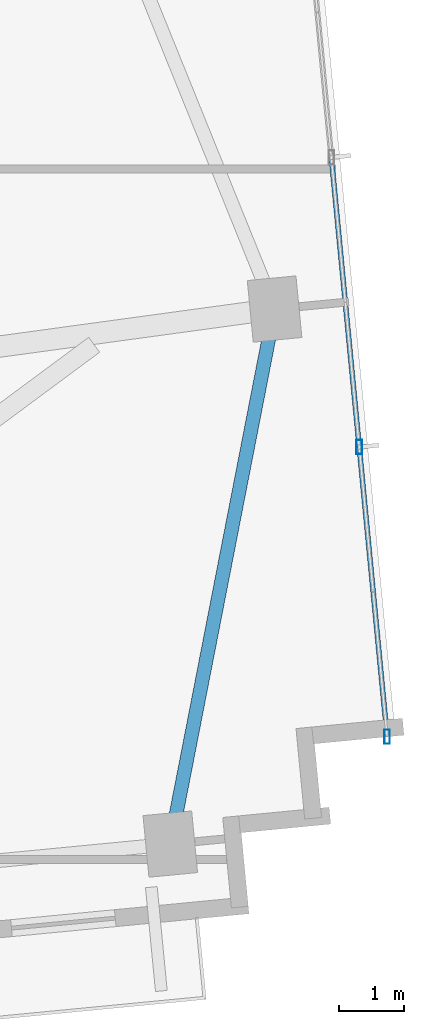
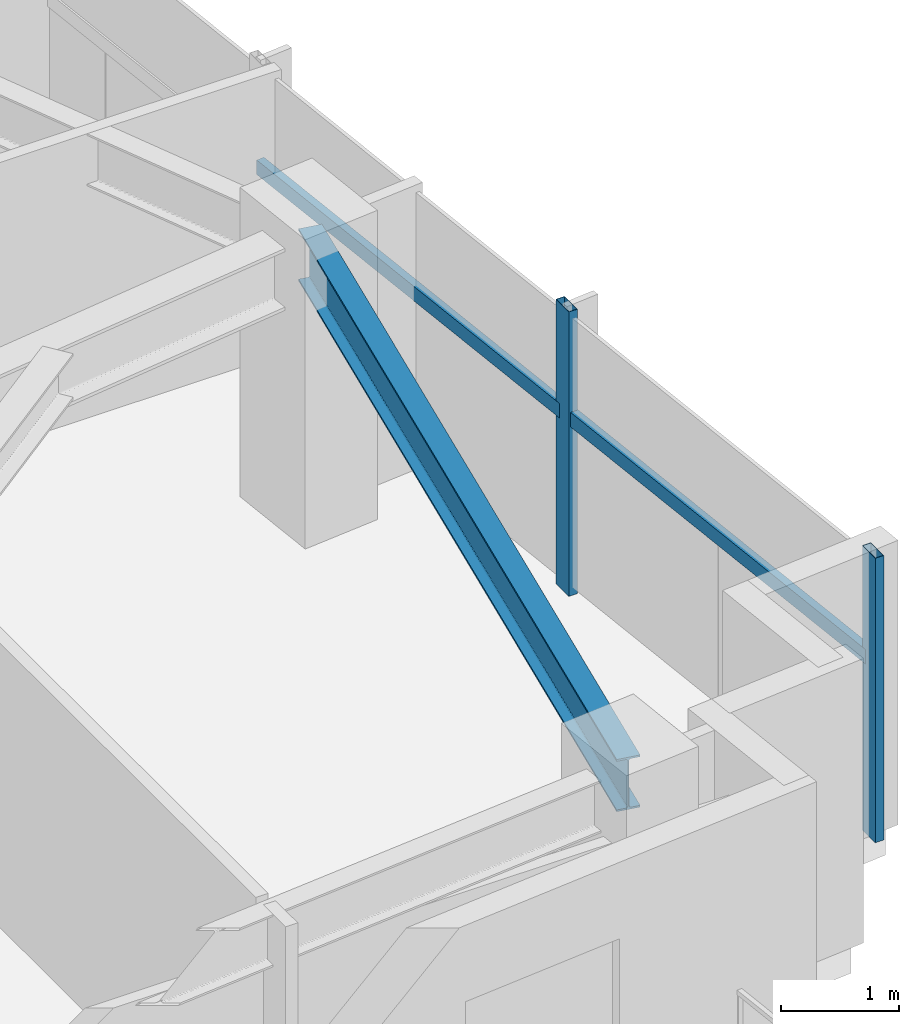
# One storey, part 10 of 18: 4 members, 1 beam, 1 element without a shape of its own.
"""IFC4 building model written with IfcOpenShell, lengths in metres."""

from ifc_helpers import new_model, si_unit, direction, frame, origin, origin_2d, place, context, subcontext, project, spatial, hollow_rectangle, i_section, extrude, source, transform, mapped, material, material_profile, profile_set, type_object, type_shapes, element, aggregate, save


model = new_model("IFC4")

# Units and contexts
model_context = context("Model", 3, precision=1e-05, world=origin(), true_north=direction((0.0, 1.0)))
body_context = subcontext(model_context, "Body", "Model", "MODEL_VIEW")
ifc_project = project(units=[si_unit("LENGTHUNIT", "METRE"), si_unit("AREAUNIT", "SQUARE_METRE"), si_unit("VOLUMEUNIT", "CUBIC_METRE"), si_unit("PLANEANGLEUNIT", "RADIAN"), si_unit("MASSUNIT", "GRAM", prefix="KILO")], contexts=[model_context])

# Site, building, storey
site_placement = place(None, origin())
site = spatial("IfcSite", under=ifc_project, at=site_placement, CompositionType="ELEMENT")
building_placement = place(site_placement, origin())
building = spatial("IfcBuilding", under=site, at=building_placement, Name="Astriad Promenade Condominiums", CompositionType="ELEMENT")
storey_placement = place(building_placement, frame((0.0, 0.0, 176.199951171875)))
storey = spatial("IfcBuildingStorey", under=building, at=storey_placement, Name="L50", CompositionType="ELEMENT", Elevation=176.199951171875)

# Beam
ifc_material_1 = material(Name="Steel ASTM A992 Grade 50", Category="steel")
ifc_material_profile_1 = material_profile(ifc_material_1, i_section(OverallWidth=0.210693359375, OverallDepth=0.53955078125, WebThickness=0.01171875, FlangeThickness=0.018798828125, FilletRadius=0.0166015625, at=origin_2d()), Name="W21X73")
ifc_profile_set_1 = profile_set([ifc_material_profile_1], Name="Steel ASTM A992 Grade 50")
beam_type = type_object("IfcBeamType", Name="STEEL SPANDREL BEAM W21X73", PredefinedType="SPANDREL", material=ifc_profile_set_1)
shared_shape_1 = source(origin(), body_context, "Body", "SweptSolid", [
    extrude(i_section(OverallWidth=0.210693359375, OverallDepth=0.53955078125, WebThickness=0.01171875, FlangeThickness=0.018798828125, FilletRadius=0.0166015625, at=origin_2d()), origin(), (0.0, 0.0, 1.0), 8.28564453125),
])
type_shapes(beam_type, [shared_shape_1])
beam_placement = place(storey_placement, frame((61.775634765625, 11.6552734375, 2.670166015625), z_axis=(0.191291582099, 0.981533254973, 0.0), x_axis=(-0.981533254973, 0.191291582099, 0.0)))
element("IfcBeam", 1, at=beam_placement, inside=storey, type_object=beam_type, Name="Perimeter Spandrel Beam SP-E1-L50", PredefinedType="SPANDREL", context=body_context, shape_type="MappedRepresentation", body=[
    mapped(shared_shape_1, transform((0.0, 0.0, 0.0), scale=1.0)),
])

# Curtain wall, members
ifc_material_2 = material(Name="Anodised aluminium Black Dark Glass Unitised", Category="aluminium")
curtain_wall_type = type_object("IfcCurtainWallType", Name="CW-B34-DARK", PredefinedType="USERDEFINED", material=ifc_material_2)
curtain_wall_placement = place(storey_placement, origin())
curtain_wall = element("IfcCurtainWall", 2, at=curtain_wall_placement, inside=storey, type_object=curtain_wall_type, Name="CW-L50-E", ObjectType="UNITISED_CURTAIN_WALL", PredefinedType="USERDEFINED")
ifc_material_3 = material(Name="Anodised aluminium 6063-T6 Black", Category="aluminium")
ifc_material_profile_2 = material_profile(ifc_material_3, hollow_rectangle(XDim=0.0849609375, YDim=0.219970703125, WallThickness=0.0048828125, at=origin_2d()), Name="ALU-MUL-85X220")
ifc_profile_set_2 = profile_set([ifc_material_profile_2], Name="Anodised aluminium 6063-T6 Black")
member_type_1 = type_object("IfcMemberType", Name="MUL-ALU-MUL-85X220", PredefinedType="MULLION", material=ifc_profile_set_2)
shared_shape_2 = source(origin(), body_context, "Body", "SweptSolid", [
    extrude(hollow_rectangle(XDim=0.0849609375, YDim=0.219970703125, WallThickness=0.0048828125, at=origin_2d()), origin(), (0.0, 0.0, 1.0), 2.93994140625),
])
type_shapes(member_type_1, [shared_shape_2])
member_1_placement = place(storey_placement, frame((64.667236328125, 17.70849609375, 0.0), z_axis=(0.0, 0.0, 1.0), x_axis=(1.0, 0.0, 0.0)))
member_1 = element("IfcMember", 3, at=member_1_placement, type_object=member_type_1, Name="CW-L50-E-MUL-02", PredefinedType="MULLION", context=body_context, shape_type="MappedRepresentation", body=[
    mapped(shared_shape_2, transform((0.0, 0.0, 0.0), scale=1.0)),
])
member_2_placement = place(storey_placement, frame((65.095458984375, 13.262451171875, 0.0), z_axis=(0.0, 0.0, 1.0), x_axis=(1.0, 0.0, 0.0)))
member_2 = element("IfcMember", 4, at=member_2_placement, type_object=member_type_1, Name="CW-L50-E-MUL-03", PredefinedType="MULLION", context=body_context, shape_type="MappedRepresentation", body=[
    mapped(shared_shape_2, transform((0.0, 0.0, 0.0), scale=1.0)),
])
ifc_material_profile_3 = material_profile(ifc_material_3, hollow_rectangle(XDim=0.074951171875, YDim=0.14990234375, WallThickness=0.004150390625, at=origin_2d()), Name="ALU-TRN-75X150")
ifc_profile_set_3 = profile_set([ifc_material_profile_3], Name="Anodised aluminium 6063-T6 Black")
member_type_2 = type_object("IfcMemberType", Name="TRN-ALU-TRN-75X150", PredefinedType="USERDEFINED", material=ifc_profile_set_3)
shared_shape_3 = source(origin(), body_context, "Body", "SweptSolid", [
    extrude(hollow_rectangle(XDim=0.074951171875, YDim=0.14990234375, WallThickness=0.004150390625, at=origin_2d()), origin(), (0.0, 0.0, 1.0), 4.466552734375),
])
type_shapes(member_type_2, [shared_shape_3])
member_3_placement = place(storey_placement, frame((64.239013671875, 22.154541015625, 1.82275390625), z_axis=(0.095871755514, -0.995393694221, 0.0), x_axis=(0.995393694221, 0.095871755514, 0.0)))
member_3 = element("IfcMember", 5, at=member_3_placement, type_object=member_type_2, Name="CW-L50-E-TRN-01-0", ObjectType="TRANSOM", PredefinedType="USERDEFINED", context=body_context, shape_type="MappedRepresentation", body=[
    mapped(shared_shape_3, transform((0.0, 0.0, 0.0), scale=1.0)),
])
member_4_placement = place(storey_placement, frame((64.667236328125, 17.70849609375, 1.82275390625), z_axis=(0.095871755514, -0.995393694221, 0.0), x_axis=(0.995393694221, 0.095871755514, 0.0)))
member_4 = element("IfcMember", 6, at=member_4_placement, type_object=member_type_2, Name="CW-L50-E-TRN-02-0", ObjectType="TRANSOM", PredefinedType="USERDEFINED", context=body_context, shape_type="MappedRepresentation", body=[
    mapped(shared_shape_3, transform((0.0, 0.0, 0.0), scale=1.0)),
])
aggregate(curtain_wall, [member_1, member_2, member_3, member_4])

save(model, "model.ifc")
